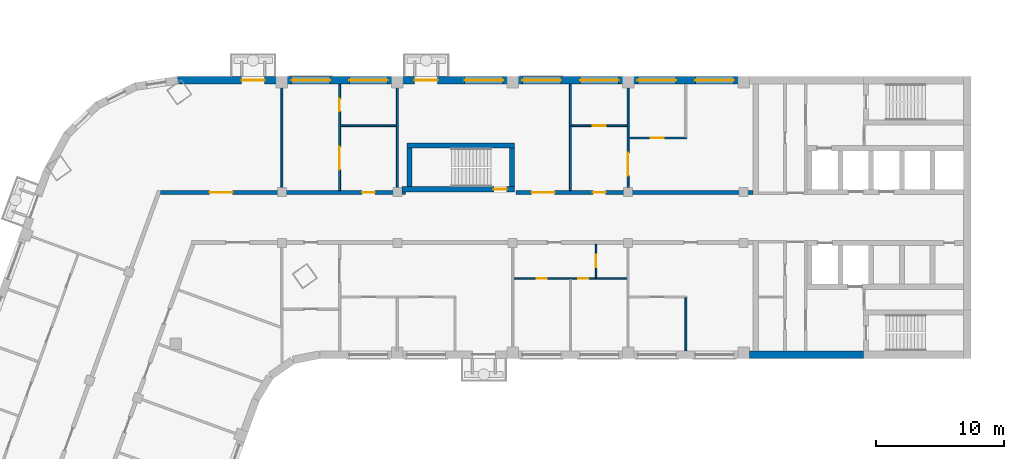
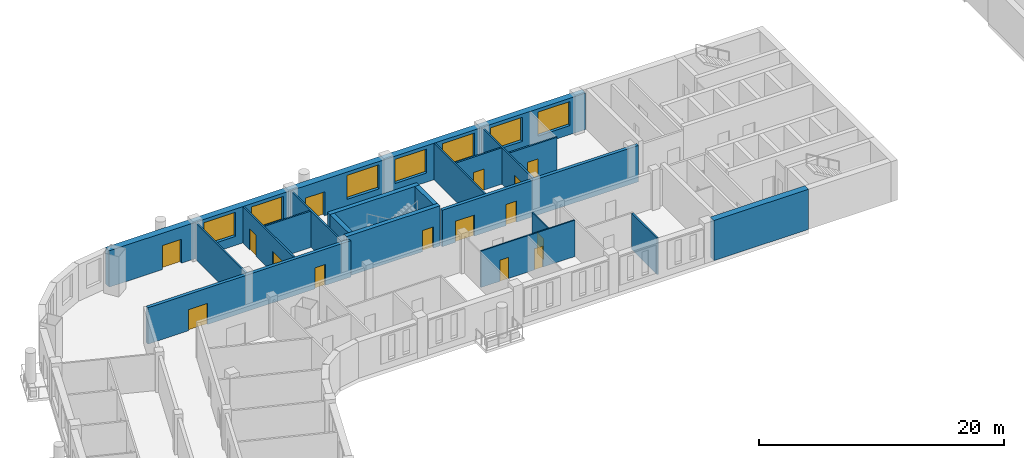
# One storey, part 5 of 15: 19 walls, 15 doors, 7 windows, 22 openings.
"""IFC4 building model written with IfcOpenShell, lengths in metres."""

from ifc_helpers import new_model, si_unit, direction, frame, frame_2d, origin, place, context, subcontext, project, spatial, rectangle, extrude, material, layer, layer_set, type_object, element, fill, save


model = new_model("IFC4")

# Units and contexts
model_context = context("Model", 3, precision=1e-05, world=origin(), true_north=direction((0.0, 1.0)))
body_context = subcontext(model_context, "Body", "Model", "MODEL_VIEW")
ifc_project = project(units=[si_unit("LENGTHUNIT", "METRE"), si_unit("AREAUNIT", "SQUARE_METRE"), si_unit("VOLUMEUNIT", "CUBIC_METRE"), si_unit("PLANEANGLEUNIT", "RADIAN"), si_unit("MASSUNIT", "GRAM", prefix="KILO")], contexts=[model_context])

# Site, building, storey
site_placement = place(None, origin())
site = spatial("IfcSite", under=ifc_project, at=site_placement, CompositionType="ELEMENT")
building_placement = place(site_placement, origin())
building = spatial("IfcBuilding", under=site, at=building_placement, Name="Skarvind Civic Tower", CompositionType="ELEMENT")
storey_placement = place(building_placement, frame((0.0, 0.0, 55.5)))
storey = spatial("IfcBuildingStorey", under=building, at=storey_placement, Name="L12", CompositionType="ELEMENT", Elevation=55.5)

# Wall, openings, doors
ifc_material_1 = material(Name="Fire-rated gypsum board on steel studs", Category="steel")
ifc_layer_1 = layer(ifc_material_1, 0.300048828125)
ifc_layer_set_1 = layer_set([ifc_layer_1], Name="CORRIDOR WALL 300")
wall_type_1 = type_object("IfcWallType", Name="CORRIDOR WALL 300", PredefinedType="PARTITIONING", material=ifc_layer_set_1)
wall_1_placement = place(storey_placement, frame((44.784912109375, 129.949951171875, 0.0), z_axis=(0.0, 0.0, 1.0), x_axis=(1.0, 0.0, 0.0)))
wall_1 = element("IfcWall", 1, at=wall_1_placement, inside=storey, type_object=wall_type_1, Name="Partition 12.016", PredefinedType="PARTITIONING", context=body_context, shape_type="SweptSolid", body=[
    extrude(rectangle(XDim=19.114990234375, YDim=0.300048828125, at=frame_2d((9.5576171875, 0.0))), origin(), (0.0, 0.0, 1.0), 3.625),
])
opening_1_placement = place(wall_1_placement, frame((15.715087890625, 0.0, 0.0)))
opening_1 = element("IfcOpeningElement", 2, at=opening_1_placement, cuts=wall_1, Name="Opening L12-D006", PredefinedType="OPENING", context=body_context, shape_type="SweptSolid", body=[
    extrude(rectangle(XDim=1.0, YDim=2.10009765625, at=frame_2d((0.5, 1.050048828125))), frame((0.0, 0.159912109375, 0.0), z_axis=(0.0, -1.0, 0.0), x_axis=(1.0, 0.0, 0.0)), (0.0, 0.0, 1.0), 0.320068359375),
])
opening_2_placement = place(wall_1_placement, frame((3.822509765625, 0.0, 0.0)))
opening_2 = element("IfcOpeningElement", 3, at=opening_2_placement, cuts=wall_1, Name="Opening L12-D032", PredefinedType="OPENING", context=body_context, shape_type="SweptSolid", body=[
    extrude(rectangle(XDim=1.800048828125, YDim=2.10009765625, at=frame_2d((0.89990234375, 1.050048828125))), frame((0.0, 0.159912109375, 0.0), z_axis=(0.0, -1.0, 0.0), x_axis=(1.0, 0.0, 0.0)), (0.0, 0.0, 1.0), 0.320068359375),
])
ifc_material_2 = material(Name="Fire-rated timber door leaf", Category="wood")
door_type_1 = type_object("IfcDoorType", Name="FD1 1000x2100", OperationType="NOTDEFINED", PredefinedType="DOOR", material=ifc_material_2)
door_1_placement = place(opening_1_placement, origin())
door_1 = element("IfcDoor", 4, at=door_1_placement, inside=storey, type_object=door_type_1, Name="Door L12-D006", OperationType="SINGLE_SWING_LEFT", OverallHeight=2.10009765625, OverallWidth=1.0, PredefinedType="DOOR", context=body_context, shape_type="SweptSolid", body=[
    extrude(rectangle(XDim=1.0, YDim=2.10009765625, at=frame_2d((0.5, 1.050048828125))), frame((0.0, 0.02490234375, 0.0), z_axis=(0.0, -1.0, 0.0), x_axis=(1.0, 0.0, 0.0)), (0.0, 0.0, 1.0), 0.050048828125),
])
fill(opening_1, door_1)
door_type_2 = type_object("IfcDoorType", Name="FD4 1800x2100", OperationType="NOTDEFINED", PredefinedType="DOOR", material=ifc_material_2)
door_2_placement = place(opening_2_placement, origin())
door_2 = element("IfcDoor", 5, at=door_2_placement, inside=storey, type_object=door_type_2, Name="Door L12-D032", OperationType="DOUBLE_DOOR_SINGLE_SWING", OverallHeight=2.10009765625, OverallWidth=1.800048828125, PredefinedType="DOOR", context=body_context, shape_type="SweptSolid", body=[
    extrude(rectangle(XDim=1.800048828125, YDim=2.10009765625, at=frame_2d((0.89990234375, 1.050048828125))), frame((0.0, 0.02490234375, 0.0), z_axis=(0.0, -1.0, 0.0), x_axis=(1.0, 0.0, 0.0)), (0.0, 0.0, 1.0), 0.050048828125),
])
fill(opening_2, door_2)

wall_2_placement = place(storey_placement, frame((72.5, 129.949951171875, 0.0), z_axis=(0.0, 0.0, 1.0), x_axis=(1.0, 0.0, 0.0)))
wall_2 = element("IfcWall", 6, at=wall_2_placement, inside=storey, type_object=wall_type_1, Name="Partition 12.032", PredefinedType="PARTITIONING", context=body_context, shape_type="SweptSolid", body=[
    extrude(rectangle(XDim=18.5, YDim=0.300048828125, at=frame_2d((9.25, 0.0))), origin(), (0.0, 0.0, 1.0), 3.625),
])
opening_3_placement = place(wall_2_placement, frame((6.0, 0.0, 0.0)))
opening_3 = element("IfcOpeningElement", 7, at=opening_3_placement, cuts=wall_2, Name="Opening L12-D001", PredefinedType="OPENING", context=body_context, shape_type="SweptSolid", body=[
    extrude(rectangle(XDim=1.0, YDim=2.10009765625, at=frame_2d((0.5, 1.050048828125))), frame((0.0, 0.159912109375, 0.0), z_axis=(0.0, -1.0, 0.0), x_axis=(1.0, 0.0, 0.0)), (0.0, 0.0, 1.0), 0.320068359375),
])
opening_4_placement = place(wall_2_placement, frame((1.22509765625, 0.0, 0.0)))
opening_4 = element("IfcOpeningElement", 8, at=opening_4_placement, cuts=wall_2, Name="Opening L12-D005", PredefinedType="OPENING", context=body_context, shape_type="SweptSolid", body=[
    extrude(rectangle(XDim=1.800048828125, YDim=2.10009765625, at=frame_2d((0.89990234375, 1.050048828125))), frame((0.0, 0.159912109375, 0.0), z_axis=(0.0, -1.0, 0.0), x_axis=(1.0, 0.0, 0.0)), (0.0, 0.0, 1.0), 0.320068359375),
])
door_3_placement = place(opening_3_placement, origin())
door_3 = element("IfcDoor", 9, at=door_3_placement, inside=storey, type_object=door_type_1, Name="Door L12-D001", OperationType="SINGLE_SWING_RIGHT", OverallHeight=2.10009765625, OverallWidth=1.0, PredefinedType="DOOR", context=body_context, shape_type="SweptSolid", body=[
    extrude(rectangle(XDim=1.0, YDim=2.10009765625, at=frame_2d((0.5, 1.050048828125))), frame((0.0, 0.02490234375, 0.0), z_axis=(0.0, -1.0, 0.0), x_axis=(1.0, 0.0, 0.0)), (0.0, 0.0, 1.0), 0.050048828125),
])
fill(opening_3, door_3)
door_4_placement = place(opening_4_placement, origin())
door_4 = element("IfcDoor", 10, at=door_4_placement, inside=storey, type_object=door_type_2, Name="Door L12-D005", OperationType="DOUBLE_DOOR_SINGLE_SWING", OverallHeight=2.10009765625, OverallWidth=1.800048828125, PredefinedType="DOOR", context=body_context, shape_type="SweptSolid", body=[
    extrude(rectangle(XDim=1.800048828125, YDim=2.10009765625, at=frame_2d((0.89990234375, 1.050048828125))), frame((0.0, 0.02490234375, 0.0), z_axis=(0.0, -1.0, 0.0), x_axis=(1.0, 0.0, 0.0)), (0.0, 0.0, 1.0), 0.050048828125),
])
fill(opening_4, door_4)

# Wall, opening, door
ifc_material_3 = material(Name="Concrete C80", Category="concrete")
ifc_layer_2 = layer(ifc_material_3, 0.39990234375)
ifc_layer_set_2 = layer_set([ifc_layer_2], Name="Core wall 400 C80")
wall_type_2 = type_object("IfcWallType", Name="Core wall 400 C80", PredefinedType="SHEAR", material=ifc_layer_set_2)
wall_3_placement = place(storey_placement, frame((63.60009765625, 130.199951171875, 0.0), z_axis=(0.0, 0.0, 1.0), x_axis=(1.0, 0.0, 0.0)))
wall_3 = element("IfcWall", 11, at=wall_3_placement, inside=storey, type_object=wall_type_2, Name="Core wall CM inner L12", PredefinedType="SHEAR", context=body_context, shape_type="SweptSolid", body=[
    extrude(rectangle(XDim=8.7998046875, YDim=0.39990234375, at=frame_2d((4.39990234375, 0.0))), origin(), (0.0, 0.0, 1.0), 4.0),
])
opening_5_placement = place(wall_3_placement, frame((7.175048828125, 0.0, 0.0)))
opening_5 = element("IfcOpeningElement", 12, at=opening_5_placement, cuts=wall_3, Name="Opening D-L12-CM-01", PredefinedType="OPENING", context=body_context, shape_type="SweptSolid", body=[
    extrude(rectangle(XDim=1.0, YDim=2.10009765625, at=frame_2d((0.5, 1.050048828125))), frame((0.0, 0.2099609375, 0.0), z_axis=(0.0, -1.0, 0.0), x_axis=(1.0, 0.0, 0.0)), (0.0, 0.0, 1.0), 0.419921875),
])
ifc_material_4 = material(Name="Fire-rated steel door", Category="steel")
door_type_3 = type_object("IfcDoorType", Name="Fire door 1000", OperationType="NOTDEFINED", PredefinedType="DOOR", material=ifc_material_4)
door_5_placement = place(opening_5_placement, origin())
door_5 = element("IfcDoor", 13, at=door_5_placement, inside=storey, type_object=door_type_3, Name="Fire door", OperationType="SINGLE_SWING_LEFT", OverallHeight=2.10009765625, OverallWidth=1.0, PredefinedType="DOOR", context=body_context, shape_type="SweptSolid", body=[
    extrude(rectangle(XDim=1.0, YDim=2.10009765625, at=frame_2d((0.5, 1.050048828125))), frame((0.0, 0.02490234375, 0.0), z_axis=(0.0, -1.0, 0.0), x_axis=(1.0, 0.0, 0.0)), (0.0, 0.0, 1.0), 0.050048828125),
])
fill(opening_5, door_5)

# Walls
wall_4_placement = place(storey_placement, frame((64.0, 133.60009765625, 0.0), z_axis=(0.0, 0.0, 1.0), x_axis=(1.0, 0.0, 0.0)))
element("IfcWall", 14, at=wall_4_placement, inside=storey, type_object=wall_type_2, Name="Core wall CM outer L12", PredefinedType="SHEAR", context=body_context, shape_type="SweptSolid", body=[
    extrude(rectangle(XDim=8.39990234375, YDim=0.39990234375, at=frame_2d((4.199951171875, 0.0))), origin(), (0.0, 0.0, 1.0), 4.0),
])
for number, where, z_axis, x_axis, name in (
    (15, (64.199951171875, 130.39990234375, 0.0), (0.0, 0.0, 1.0), (0.0, 1.0, 0.0), "Core wall CM west L12"),
    (16, (72.199951171875, 130.39990234375, 0.0), (0.0, 0.0, 1.0), (0.0, 1.0, 0.0), "Core wall CM end L12"),
):
    element("IfcWall", number, at=place(storey_placement, frame(where, z_axis=z_axis, x_axis=x_axis)), inside=storey, type_object=wall_type_2, Name=name, PredefinedType="SHEAR", context=body_context, shape_type="SweptSolid", body=[
        extrude(rectangle(XDim=3.0, YDim=0.39990234375, at=frame_2d((1.5, 0.0))), origin(), (0.0, 0.0, 1.0), 4.0),
    ])
ifc_layer_3 = layer(ifc_material_3, 0.60009765625)
ifc_layer_set_3 = layer_set([ifc_layer_3], Name="Core wall 600 C80")
wall_type_3 = type_object("IfcWallType", Name="Core wall 600 C80", PredefinedType="SHEAR", material=ifc_layer_set_3)
wall_5_placement = place(storey_placement, frame((99.60009765625, 117.300048828125, 0.0), z_axis=(0.0, 0.0, 1.0), x_axis=(-1.0, 0.0, 0.0)))
element("IfcWall", 17, at=wall_5_placement, inside=storey, type_object=wall_type_3, Name="Core wall C1 north side L12", PredefinedType="SHEAR", context=body_context, shape_type="SweptSolid", body=[
    extrude(rectangle(XDim=8.900146484375, YDim=0.60009765625, at=frame_2d((4.4501953125, 0.0))), origin(), (0.0, 0.0, 1.0), 4.0),
])
ifc_material_5 = material(Name="Plasterboard partition on steel studs", Category="steel")
ifc_layer_4 = layer(ifc_material_5, 0.14990234375)
ifc_layer_set_4 = layer_set([ifc_layer_4], Name="PARTITION 150")
wall_type_4 = type_object("IfcWallType", Name="PARTITION 150", PredefinedType="PARTITIONING", material=ifc_layer_set_4)
wall_6_placement = place(storey_placement, frame((54.25, 138.39990234375, 0.0), z_axis=(0.0, 0.0, 1.0), x_axis=(0.0, -1.0, 0.0)))
element("IfcWall", 18, at=wall_6_placement, inside=storey, type_object=wall_type_4, Name="Partition 12.022", PredefinedType="PARTITIONING", context=body_context, shape_type="SweptSolid", body=[
    extrude(rectangle(XDim=8.2998046875, YDim=0.14990234375, at=frame_2d((4.14990234375, 0.0))), origin(), (0.0, 0.0, 1.0), 3.625),
])

# Wall, openings, doors
wall_7_placement = place(storey_placement, frame((58.75, 130.10009765625, 0.0), z_axis=(0.0, 0.0, 1.0), x_axis=(0.0, 1.0, 0.0)))
wall_7 = element("IfcWall", 19, at=wall_7_placement, inside=storey, type_object=wall_type_4, Name="Partition 12.025", PredefinedType="PARTITIONING", context=body_context, shape_type="SweptSolid", body=[
    extrude(rectangle(XDim=8.2998046875, YDim=0.14990234375, at=frame_2d((4.14990234375, 0.0))), origin(), (0.0, 0.0, 1.0), 3.625),
])
opening_6_placement = place(wall_7_placement, frame((6.175048828125, 0.0, 0.0)))
opening_6 = element("IfcOpeningElement", 20, at=opening_6_placement, cuts=wall_7, Name="Opening L12-D007", PredefinedType="OPENING", context=body_context, shape_type="SweptSolid", body=[
    extrude(rectangle(XDim=1.0, YDim=2.10009765625, at=frame_2d((0.5, 1.050048828125))), frame((0.0, 0.0849609375, 0.0), z_axis=(0.0, -1.0, 0.0), x_axis=(1.0, 0.0, 0.0)), (0.0, 0.0, 1.0), 0.169921875),
])
opening_7_placement = place(wall_7_placement, frame((1.616455078125, 0.0, 0.0)))
opening_7 = element("IfcOpeningElement", 21, at=opening_7_placement, cuts=wall_7, Name="Opening L12-D008", PredefinedType="OPENING", context=body_context, shape_type="SweptSolid", body=[
    extrude(rectangle(XDim=1.800048828125, YDim=2.10009765625, at=frame_2d((0.89990234375, 1.050048828125))), frame((0.0, 0.0849609375, 0.0), z_axis=(0.0, -1.0, 0.0), x_axis=(1.0, 0.0, 0.0)), (0.0, 0.0, 1.0), 0.169921875),
])
ifc_material_6 = material(Name="Timber door leaf", Category="wood")
door_type_4 = type_object("IfcDoorType", Name="D1 1000x2100", OperationType="NOTDEFINED", PredefinedType="DOOR", material=ifc_material_6)
door_6_placement = place(opening_6_placement, origin())
door_6 = element("IfcDoor", 22, at=door_6_placement, inside=storey, type_object=door_type_4, Name="Door L12-D007", OperationType="SINGLE_SWING_RIGHT", OverallHeight=2.10009765625, OverallWidth=1.0, PredefinedType="DOOR", context=body_context, shape_type="SweptSolid", body=[
    extrude(rectangle(XDim=1.0, YDim=2.10009765625, at=frame_2d((0.5, 1.050048828125))), frame((0.0, 0.02490234375, 0.0), z_axis=(0.0, -1.0, 0.0), x_axis=(1.0, 0.0, 0.0)), (0.0, 0.0, 1.0), 0.050048828125),
])
fill(opening_6, door_6)
door_type_5 = type_object("IfcDoorType", Name="D4 1800x2100", OperationType="NOTDEFINED", PredefinedType="DOOR", material=ifc_material_6)
door_7_placement = place(opening_7_placement, origin())
door_7 = element("IfcDoor", 23, at=door_7_placement, inside=storey, type_object=door_type_5, Name="Door L12-D008", OperationType="DOUBLE_DOOR_SINGLE_SWING", OverallHeight=2.10009765625, OverallWidth=1.800048828125, PredefinedType="DOOR", context=body_context, shape_type="SweptSolid", body=[
    extrude(rectangle(XDim=1.800048828125, YDim=2.10009765625, at=frame_2d((0.89990234375, 1.050048828125))), frame((0.0, 0.02490234375, 0.0), z_axis=(0.0, -1.0, 0.0), x_axis=(1.0, 0.0, 0.0)), (0.0, 0.0, 1.0), 0.050048828125),
])
fill(opening_7, door_7)

# Walls
wall_8_placement = place(storey_placement, frame((63.25, 130.10009765625, 0.0), z_axis=(0.0, 0.0, 1.0), x_axis=(0.0, 1.0, 0.0)))
element("IfcWall", 24, at=wall_8_placement, inside=storey, type_object=wall_type_4, Name="Partition 12.027", PredefinedType="PARTITIONING", context=body_context, shape_type="SweptSolid", body=[
    extrude(rectangle(XDim=8.2998046875, YDim=0.14990234375, at=frame_2d((4.14990234375, 0.0))), origin(), (0.0, 0.0, 1.0), 3.625),
])
wall_9_placement = place(storey_placement, frame((63.175048828125, 135.14990234375, 0.0), z_axis=(0.0, 0.0, 1.0), x_axis=(-1.0, 0.0, 0.0)))
element("IfcWall", 25, at=wall_9_placement, inside=storey, type_object=wall_type_4, Name="Partition 12.028", PredefinedType="PARTITIONING", context=body_context, shape_type="SweptSolid", body=[
    extrude(rectangle(XDim=4.35009765625, YDim=0.14990234375, at=frame_2d((2.175048828125, 0.0))), origin(), (0.0, 0.0, 1.0), 3.625),
])
wall_10_placement = place(storey_placement, frame((76.75, 130.10009765625, 0.0), z_axis=(0.0, 0.0, 1.0), x_axis=(0.0, 1.0, 0.0)))
element("IfcWall", 26, at=wall_10_placement, inside=storey, type_object=wall_type_4, Name="Partition 12.034", PredefinedType="PARTITIONING", context=body_context, shape_type="SweptSolid", body=[
    extrude(rectangle(XDim=8.2998046875, YDim=0.14990234375, at=frame_2d((4.14990234375, 0.0))), origin(), (0.0, 0.0, 1.0), 3.625),
])

# Wall, opening, door
wall_11_placement = place(storey_placement, frame((81.25, 130.10009765625, 0.0), z_axis=(0.0, 0.0, 1.0), x_axis=(0.0, 1.0, 0.0)))
wall_11 = element("IfcWall", 27, at=wall_11_placement, inside=storey, type_object=wall_type_4, Name="Partition 12.037", PredefinedType="PARTITIONING", context=body_context, shape_type="SweptSolid", body=[
    extrude(rectangle(XDim=8.2998046875, YDim=0.14990234375, at=frame_2d((4.14990234375, 0.0))), origin(), (0.0, 0.0, 1.0), 3.625),
])
opening_8_placement = place(wall_11_placement, frame((1.139892578125, 0.0, 0.0)))
opening_8 = element("IfcOpeningElement", 28, at=opening_8_placement, cuts=wall_11, Name="Opening L12-D004", PredefinedType="OPENING", context=body_context, shape_type="SweptSolid", body=[
    extrude(rectangle(XDim=1.800048828125, YDim=2.10009765625, at=frame_2d((0.89990234375, 1.050048828125))), frame((0.0, 0.0849609375, 0.0), z_axis=(0.0, -1.0, 0.0), x_axis=(1.0, 0.0, 0.0)), (0.0, 0.0, 1.0), 0.169921875),
])
door_8_placement = place(opening_8_placement, origin())
door_8 = element("IfcDoor", 29, at=door_8_placement, inside=storey, type_object=door_type_5, Name="Door L12-D004", OperationType="DOUBLE_DOOR_SINGLE_SWING", OverallHeight=2.10009765625, OverallWidth=1.800048828125, PredefinedType="DOOR", context=body_context, shape_type="SweptSolid", body=[
    extrude(rectangle(XDim=1.800048828125, YDim=2.10009765625, at=frame_2d((0.89990234375, 1.050048828125))), frame((0.0, 0.02490234375, 0.0), z_axis=(0.0, -1.0, 0.0), x_axis=(1.0, 0.0, 0.0)), (0.0, 0.0, 1.0), 0.050048828125),
])
fill(opening_8, door_8)

wall_12_placement = place(storey_placement, frame((85.824951171875, 134.199951171875, 0.0), z_axis=(0.0, 0.0, 1.0), x_axis=(-1.0, 0.0, 0.0)))
wall_12 = element("IfcWall", 30, at=wall_12_placement, inside=storey, type_object=wall_type_4, Name="Partition 12.038", PredefinedType="PARTITIONING", context=body_context, shape_type="SweptSolid", body=[
    extrude(rectangle(XDim=4.5, YDim=0.14990234375, at=frame_2d((2.25, 0.0))), origin(), (0.0, 0.0, 1.0), 3.625),
])
opening_9_placement = place(wall_12_placement, frame((1.797607421875, 0.0, 0.0)))
opening_9 = element("IfcOpeningElement", 31, at=opening_9_placement, cuts=wall_12, Name="Opening L12-D002", PredefinedType="OPENING", context=body_context, shape_type="SweptSolid", body=[
    extrude(rectangle(XDim=1.0, YDim=2.10009765625, at=frame_2d((0.5, 1.050048828125))), frame((0.0, 0.0849609375, 0.0), z_axis=(0.0, -1.0, 0.0), x_axis=(1.0, 0.0, 0.0)), (0.0, 0.0, 1.0), 0.169921875),
])
door_9_placement = place(opening_9_placement, origin())
door_9 = element("IfcDoor", 32, at=door_9_placement, inside=storey, type_object=door_type_4, Name="Door L12-D002", OperationType="SINGLE_SWING_LEFT", OverallHeight=2.10009765625, OverallWidth=1.0, PredefinedType="DOOR", context=body_context, shape_type="SweptSolid", body=[
    extrude(rectangle(XDim=1.0, YDim=2.10009765625, at=frame_2d((0.5, 1.050048828125))), frame((0.0, 0.02490234375, 0.0), z_axis=(0.0, -1.0, 0.0), x_axis=(1.0, 0.0, 0.0)), (0.0, 0.0, 1.0), 0.050048828125),
])
fill(opening_9, door_9)

wall_13_placement = place(storey_placement, frame((81.175048828125, 135.14990234375, 0.0), z_axis=(0.0, 0.0, 1.0), x_axis=(-1.0, 0.0, 0.0)))
wall_13 = element("IfcWall", 33, at=wall_13_placement, inside=storey, type_object=wall_type_4, Name="Partition 12.039", PredefinedType="PARTITIONING", context=body_context, shape_type="SweptSolid", body=[
    extrude(rectangle(XDim=4.35009765625, YDim=0.14990234375, at=frame_2d((2.175048828125, 0.0))), origin(), (0.0, 0.0, 1.0), 3.625),
])
opening_10_placement = place(wall_13_placement, frame((1.675048828125, 0.0, 0.0)))
opening_10 = element("IfcOpeningElement", 34, at=opening_10_placement, cuts=wall_13, Name="Opening L12-D003", PredefinedType="OPENING", context=body_context, shape_type="SweptSolid", body=[
    extrude(rectangle(XDim=1.0, YDim=2.10009765625, at=frame_2d((0.5, 1.050048828125))), frame((0.0, 0.0849609375, 0.0), z_axis=(0.0, -1.0, 0.0), x_axis=(1.0, 0.0, 0.0)), (0.0, 0.0, 1.0), 0.169921875),
])
door_10_placement = place(opening_10_placement, origin())
door_10 = element("IfcDoor", 35, at=door_10_placement, inside=storey, type_object=door_type_4, Name="Door L12-D003", OperationType="SINGLE_SWING_LEFT", OverallHeight=2.10009765625, OverallWidth=1.0, PredefinedType="DOOR", context=body_context, shape_type="SweptSolid", body=[
    extrude(rectangle(XDim=1.0, YDim=2.10009765625, at=frame_2d((0.5, 1.050048828125))), frame((0.0, 0.02490234375, 0.0), z_axis=(0.0, -1.0, 0.0), x_axis=(1.0, 0.0, 0.0)), (0.0, 0.0, 1.0), 0.050048828125),
])
fill(opening_10, door_10)

# Wall
wall_14_placement = place(storey_placement, frame((85.75, 117.60009765625, 0.0), z_axis=(0.0, 0.0, 1.0), x_axis=(0.0, 1.0, 0.0)))
element("IfcWall", 36, at=wall_14_placement, inside=storey, type_object=wall_type_4, Name="Partition 12.040", PredefinedType="PARTITIONING", context=body_context, shape_type="SweptSolid", body=[
    extrude(rectangle(XDim=4.125, YDim=0.14990234375, at=frame_2d((2.0625, 0.0))), origin(), (0.0, 0.0, 1.0), 3.625),
])

# Wall, openings, doors
ifc_material_7 = material(Name="Moisture-resistant gypsum board on steel studs", Category="steel")
ifc_layer_5 = layer(ifc_material_7, 0.125)
ifc_layer_set_5 = layer_set([ifc_layer_5], Name="WC PARTITION 125")
wall_type_5 = type_object("IfcWallType", Name="WC PARTITION 125", PredefinedType="PARTITIONING", material=ifc_layer_set_5)
wall_15_placement = place(storey_placement, frame((81.18798828125, 123.25, 0.0), z_axis=(0.0, 0.0, 1.0), x_axis=(-1.0, 0.0, 0.0)))
wall_15 = element("IfcWall", 37, at=wall_15_placement, inside=storey, type_object=wall_type_5, Name="Partition 12.031", PredefinedType="PARTITIONING", context=body_context, shape_type="SweptSolid", body=[
    extrude(rectangle(XDim=8.8759765625, YDim=0.125, at=frame_2d((4.43798828125, 0.0))), origin(), (0.0, 0.0, 1.0), 3.625),
])
opening_11_placement = place(wall_15_placement, frame((6.26708984375, 0.0, 0.0)))
opening_11 = element("IfcOpeningElement", 38, at=opening_11_placement, cuts=wall_15, Name="Opening L12-D013", PredefinedType="OPENING", context=body_context, shape_type="SweptSolid", body=[
    extrude(rectangle(XDim=0.800048828125, YDim=2.10009765625, at=frame_2d((0.39990234375, 1.050048828125))), frame((0.0, 0.072509765625, 0.0), z_axis=(0.0, -1.0, 0.0), x_axis=(1.0, 0.0, 0.0)), (0.0, 0.0, 1.0), 0.14501953125),
])
opening_12_placement = place(wall_15_placement, frame((3.03662109375, 0.0, 0.0)))
opening_12 = element("IfcOpeningElement", 39, at=opening_12_placement, cuts=wall_15, Name="Opening L12-D014", PredefinedType="OPENING", context=body_context, shape_type="SweptSolid", body=[
    extrude(rectangle(XDim=0.800048828125, YDim=2.10009765625, at=frame_2d((0.39990234375, 1.050048828125))), frame((0.0, 0.072509765625, 0.0), z_axis=(0.0, -1.0, 0.0), x_axis=(1.0, 0.0, 0.0)), (0.0, 0.0, 1.0), 0.14501953125),
])
door_type_6 = type_object("IfcDoorType", Name="DOOR 800X2100 TIMBER", OperationType="NOTDEFINED", PredefinedType="DOOR", material=ifc_material_6)
door_11_placement = place(opening_11_placement, origin())
door_11 = element("IfcDoor", 40, at=door_11_placement, inside=storey, type_object=door_type_6, Name="Door L12-D013", OperationType="SINGLE_SWING_RIGHT", OverallHeight=2.10009765625, OverallWidth=0.800048828125, PredefinedType="DOOR", context=body_context, shape_type="SweptSolid", body=[
    extrude(rectangle(XDim=0.800048828125, YDim=2.10009765625, at=frame_2d((0.39990234375, 1.050048828125))), frame((0.0, 0.02490234375, 0.0), z_axis=(0.0, -1.0, 0.0), x_axis=(1.0, 0.0, 0.0)), (0.0, 0.0, 1.0), 0.050048828125),
])
fill(opening_11, door_11)
door_12_placement = place(opening_12_placement, origin())
door_12 = element("IfcDoor", 41, at=door_12_placement, inside=storey, type_object=door_type_6, Name="Door L12-D014", OperationType="SINGLE_SWING_LEFT", OverallHeight=2.10009765625, OverallWidth=0.800048828125, PredefinedType="DOOR", context=body_context, shape_type="SweptSolid", body=[
    extrude(rectangle(XDim=0.800048828125, YDim=2.10009765625, at=frame_2d((0.39990234375, 1.050048828125))), frame((0.0, 0.02490234375, 0.0), z_axis=(0.0, -1.0, 0.0), x_axis=(1.0, 0.0, 0.0)), (0.0, 0.0, 1.0), 0.050048828125),
])
fill(opening_12, door_12)

# Wall, opening, door
wall_16_placement = place(storey_placement, frame((78.75, 125.89990234375, 0.0), z_axis=(0.0, 0.0, 1.0), x_axis=(0.0, -1.0, 0.0)))
wall_16 = element("IfcWall", 42, at=wall_16_placement, inside=storey, type_object=wall_type_5, Name="Partition 12.035", PredefinedType="PARTITIONING", context=body_context, shape_type="SweptSolid", body=[
    extrude(rectangle(XDim=2.587890625, YDim=0.125, at=frame_2d((1.2939453125, 0.0))), origin(), (0.0, 0.0, 1.0), 3.625),
])
opening_13_placement = place(wall_16_placement, frame((0.7939453125, 0.0, 0.0)))
opening_13 = element("IfcOpeningElement", 43, at=opening_13_placement, cuts=wall_16, Name="Opening L12-D012", PredefinedType="OPENING", context=body_context, shape_type="SweptSolid", body=[
    extrude(rectangle(XDim=1.0, YDim=2.10009765625, at=frame_2d((0.5, 1.050048828125))), frame((0.0, 0.072509765625, 0.0), z_axis=(0.0, -1.0, 0.0), x_axis=(1.0, 0.0, 0.0)), (0.0, 0.0, 1.0), 0.14501953125),
])
door_13_placement = place(opening_13_placement, origin())
door_13 = element("IfcDoor", 44, at=door_13_placement, inside=storey, type_object=door_type_4, Name="Door L12-D012", OperationType="SINGLE_SWING_RIGHT", OverallHeight=2.10009765625, OverallWidth=1.0, PredefinedType="DOOR", context=body_context, shape_type="SweptSolid", body=[
    extrude(rectangle(XDim=1.0, YDim=2.10009765625, at=frame_2d((0.5, 1.050048828125))), frame((0.0, 0.02490234375, 0.0), z_axis=(0.0, -1.0, 0.0), x_axis=(1.0, 0.0, 0.0)), (0.0, 0.0, 1.0), 0.050048828125),
])
fill(opening_13, door_13)

# Wall, openings, doors, windows
ifc_material_8 = material(Name="Limestone masonry cladding on insulated backing", Category="masonry")
ifc_layer_6 = layer(ifc_material_8, 0.60009765625)
ifc_layer_set_6 = layer_set([ifc_layer_6], Name="WX1 STONE FACADE WALL 600")
wall_type_6 = type_object("IfcWallType", Name="WX1 STONE FACADE WALL 600", PredefinedType="SOLIDWALL", material=ifc_layer_set_6)
wall_17_placement = place(storey_placement, frame((46.095458984375, 138.699951171875, 0.0), z_axis=(0.0, 0.0, 1.0), x_axis=(1.0, 0.0, 0.0)))
wall_17 = element("IfcWall", 45, at=wall_17_placement, inside=storey, type_object=wall_type_6, Name="STONE FACADE WALL", PredefinedType="SOLIDWALL", context=body_context, shape_type="SweptSolid", body=[
    extrude(rectangle(XDim=44.884521484375, YDim=0.60009765625, at=frame_2d((22.4423828125, 0.0))), origin(), (0.0, 0.0, 1.0), 3.625),
])
opening_14_placement = place(wall_17_placement, frame((5.00439453125, 0.0, 0.0)))
opening_14 = element("IfcOpeningElement", 46, at=opening_14_placement, cuts=wall_17, Name="Opening DX3", PredefinedType="OPENING", context=body_context, shape_type="SweptSolid", body=[
    extrude(rectangle(XDim=1.800048828125, YDim=2.39990234375, at=frame_2d((0.89990234375, 1.199951171875))), frame((0.0, 0.31005859375, 0.0), z_axis=(0.0, -1.0, 0.0), x_axis=(1.0, 0.0, 0.0)), (0.0, 0.0, 1.0), 0.6201171875),
])
opening_15_placement = place(wall_17_placement, frame((8.904541015625, 0.0, 0.89990234375)))
opening_15 = element("IfcOpeningElement", 47, at=opening_15_placement, cuts=wall_17, Name="Opening WN1", PredefinedType="OPENING", context=body_context, shape_type="SweptSolid", body=[
    extrude(rectangle(XDim=3.0, YDim=2.39990234375, at=frame_2d((1.5, 1.199951171875))), frame((0.0, 0.31005859375, 0.0), z_axis=(0.0, -1.0, 0.0), x_axis=(1.0, 0.0, 0.0)), (0.0, 0.0, 1.0), 0.6201171875),
])
opening_16_placement = place(wall_17_placement, frame((13.404541015625, 0.0, 0.89990234375)))
opening_16 = element("IfcOpeningElement", 48, at=opening_16_placement, cuts=wall_17, Name="Opening WN1", PredefinedType="OPENING", context=body_context, shape_type="SweptSolid", body=[
    extrude(rectangle(XDim=3.0, YDim=2.39990234375, at=frame_2d((1.5, 1.199951171875))), frame((0.0, 0.31005859375, 0.0), z_axis=(0.0, -1.0, 0.0), x_axis=(1.0, 0.0, 0.0)), (0.0, 0.0, 1.0), 0.6201171875),
])
opening_17_placement = place(wall_17_placement, frame((18.50439453125, 0.0, 0.0)))
opening_17 = element("IfcOpeningElement", 49, at=opening_17_placement, cuts=wall_17, Name="Opening DX3", PredefinedType="OPENING", context=body_context, shape_type="SweptSolid", body=[
    extrude(rectangle(XDim=1.800048828125, YDim=2.39990234375, at=frame_2d((0.89990234375, 1.199951171875))), frame((0.0, 0.31005859375, 0.0), z_axis=(0.0, -1.0, 0.0), x_axis=(1.0, 0.0, 0.0)), (0.0, 0.0, 1.0), 0.6201171875),
])
opening_18_placement = place(wall_17_placement, frame((22.404541015625, 0.0, 0.89990234375)))
opening_18 = element("IfcOpeningElement", 50, at=opening_18_placement, cuts=wall_17, Name="Opening WN1", PredefinedType="OPENING", context=body_context, shape_type="SweptSolid", body=[
    extrude(rectangle(XDim=3.0, YDim=2.39990234375, at=frame_2d((1.5, 1.199951171875))), frame((0.0, 0.31005859375, 0.0), z_axis=(0.0, -1.0, 0.0), x_axis=(1.0, 0.0, 0.0)), (0.0, 0.0, 1.0), 0.6201171875),
])
opening_19_placement = place(wall_17_placement, frame((26.904541015625, 0.0, 0.89990234375)))
opening_19 = element("IfcOpeningElement", 51, at=opening_19_placement, cuts=wall_17, Name="Opening WN1", PredefinedType="OPENING", context=body_context, shape_type="SweptSolid", body=[
    extrude(rectangle(XDim=3.0, YDim=2.39990234375, at=frame_2d((1.5, 1.199951171875))), frame((0.0, 0.31005859375, 0.0), z_axis=(0.0, -1.0, 0.0), x_axis=(1.0, 0.0, 0.0)), (0.0, 0.0, 1.0), 0.6201171875),
])
opening_20_placement = place(wall_17_placement, frame((31.404541015625, 0.0, 0.89990234375)))
opening_20 = element("IfcOpeningElement", 52, at=opening_20_placement, cuts=wall_17, Name="Opening WN1", PredefinedType="OPENING", context=body_context, shape_type="SweptSolid", body=[
    extrude(rectangle(XDim=3.0, YDim=2.39990234375, at=frame_2d((1.5, 1.199951171875))), frame((0.0, 0.31005859375, 0.0), z_axis=(0.0, -1.0, 0.0), x_axis=(1.0, 0.0, 0.0)), (0.0, 0.0, 1.0), 0.6201171875),
])
opening_21_placement = place(wall_17_placement, frame((35.904541015625, 0.0, 0.89990234375)))
opening_21 = element("IfcOpeningElement", 53, at=opening_21_placement, cuts=wall_17, Name="Opening WN1", PredefinedType="OPENING", context=body_context, shape_type="SweptSolid", body=[
    extrude(rectangle(XDim=3.0, YDim=2.39990234375, at=frame_2d((1.5, 1.199951171875))), frame((0.0, 0.31005859375, 0.0), z_axis=(0.0, -1.0, 0.0), x_axis=(1.0, 0.0, 0.0)), (0.0, 0.0, 1.0), 0.6201171875),
])
opening_22_placement = place(wall_17_placement, frame((40.404541015625, 0.0, 0.89990234375)))
opening_22 = element("IfcOpeningElement", 54, at=opening_22_placement, cuts=wall_17, Name="Opening WN1", PredefinedType="OPENING", context=body_context, shape_type="SweptSolid", body=[
    extrude(rectangle(XDim=3.0, YDim=2.39990234375, at=frame_2d((1.5, 1.199951171875))), frame((0.0, 0.31005859375, 0.0), z_axis=(0.0, -1.0, 0.0), x_axis=(1.0, 0.0, 0.0)), (0.0, 0.0, 1.0), 0.6201171875),
])
ifc_material_9 = material(Name="Timber and glass doorset", Category="wood")
door_type_7 = type_object("IfcDoorType", Name="DX3 TERRACE DOORS 1800 x 2400", OperationType="NOTDEFINED", PredefinedType="DOOR", material=ifc_material_9)
door_14_placement = place(opening_14_placement, origin())
door_14 = element("IfcDoor", 55, at=door_14_placement, inside=storey, type_object=door_type_7, Name="TERRACE DOORS", OperationType="DOUBLE_DOOR_SINGLE_SWING", OverallHeight=2.39990234375, OverallWidth=1.800048828125, PredefinedType="DOOR", context=body_context, shape_type="SweptSolid", body=[
    extrude(rectangle(XDim=1.800048828125, YDim=2.39990234375, at=frame_2d((0.89990234375, 1.199951171875))), frame((0.0, 0.02490234375, 0.0), z_axis=(0.0, -1.0, 0.0), x_axis=(1.0, 0.0, 0.0)), (0.0, 0.0, 1.0), 0.050048828125),
])
fill(opening_14, door_14)
door_15_placement = place(opening_17_placement, origin())
door_15 = element("IfcDoor", 56, at=door_15_placement, inside=storey, type_object=door_type_7, Name="TERRACE DOORS", OperationType="DOUBLE_DOOR_SINGLE_SWING", OverallHeight=2.39990234375, OverallWidth=1.800048828125, PredefinedType="DOOR", context=body_context, shape_type="SweptSolid", body=[
    extrude(rectangle(XDim=1.800048828125, YDim=2.39990234375, at=frame_2d((0.89990234375, 1.199951171875))), frame((0.0, 0.02490234375, 0.0), z_axis=(0.0, -1.0, 0.0), x_axis=(1.0, 0.0, 0.0)), (0.0, 0.0, 1.0), 0.050048828125),
])
fill(opening_17, door_15)
ifc_material_10 = material(Name="Timber frame, double glazing, timber-lined reveal", Category="wood")
window_type = type_object("IfcWindowType", Name="WN1 PUNCHED STONE WINDOW 3000 x 2400", PartitioningType="SINGLE_PANEL", PredefinedType="WINDOW", material=ifc_material_10)
window_1_placement = place(opening_15_placement, origin())
window_1 = element("IfcWindow", 57, at=window_1_placement, inside=storey, type_object=window_type, Name="WN1 WINDOW", OverallHeight=2.39990234375, OverallWidth=3.0, PartitioningType="SINGLE_PANEL", PredefinedType="WINDOW", context=body_context, shape_type="SweptSolid", body=[
    extrude(rectangle(XDim=3.0, YDim=2.39990234375, at=frame_2d((1.5, 1.199951171875))), frame((0.0, 0.030029296875, 0.0), z_axis=(0.0, -1.0, 0.0), x_axis=(1.0, 0.0, 0.0)), (0.0, 0.0, 1.0), 0.06005859375),
])
fill(opening_15, window_1)
window_2_placement = place(opening_16_placement, origin())
window_2 = element("IfcWindow", 58, at=window_2_placement, inside=storey, type_object=window_type, Name="WN1 WINDOW", OverallHeight=2.39990234375, OverallWidth=3.0, PartitioningType="SINGLE_PANEL", PredefinedType="WINDOW", context=body_context, shape_type="SweptSolid", body=[
    extrude(rectangle(XDim=3.0, YDim=2.39990234375, at=frame_2d((1.5, 1.199951171875))), frame((0.0, 0.030029296875, 0.0), z_axis=(0.0, -1.0, 0.0), x_axis=(1.0, 0.0, 0.0)), (0.0, 0.0, 1.0), 0.06005859375),
])
fill(opening_16, window_2)
window_3_placement = place(opening_18_placement, origin())
window_3 = element("IfcWindow", 59, at=window_3_placement, inside=storey, type_object=window_type, Name="WN1 WINDOW", OverallHeight=2.39990234375, OverallWidth=3.0, PartitioningType="SINGLE_PANEL", PredefinedType="WINDOW", context=body_context, shape_type="SweptSolid", body=[
    extrude(rectangle(XDim=3.0, YDim=2.39990234375, at=frame_2d((1.5, 1.199951171875))), frame((0.0, 0.030029296875, 0.0), z_axis=(0.0, -1.0, 0.0), x_axis=(1.0, 0.0, 0.0)), (0.0, 0.0, 1.0), 0.06005859375),
])
fill(opening_18, window_3)
window_4_placement = place(opening_19_placement, origin())
window_4 = element("IfcWindow", 60, at=window_4_placement, inside=storey, type_object=window_type, Name="WN1 WINDOW", OverallHeight=2.39990234375, OverallWidth=3.0, PartitioningType="SINGLE_PANEL", PredefinedType="WINDOW", context=body_context, shape_type="SweptSolid", body=[
    extrude(rectangle(XDim=3.0, YDim=2.39990234375, at=frame_2d((1.5, 1.199951171875))), frame((0.0, 0.030029296875, 0.0), z_axis=(0.0, -1.0, 0.0), x_axis=(1.0, 0.0, 0.0)), (0.0, 0.0, 1.0), 0.06005859375),
])
fill(opening_19, window_4)
window_5_placement = place(opening_20_placement, origin())
window_5 = element("IfcWindow", 61, at=window_5_placement, inside=storey, type_object=window_type, Name="WN1 WINDOW", OverallHeight=2.39990234375, OverallWidth=3.0, PartitioningType="SINGLE_PANEL", PredefinedType="WINDOW", context=body_context, shape_type="SweptSolid", body=[
    extrude(rectangle(XDim=3.0, YDim=2.39990234375, at=frame_2d((1.5, 1.199951171875))), frame((0.0, 0.030029296875, 0.0), z_axis=(0.0, -1.0, 0.0), x_axis=(1.0, 0.0, 0.0)), (0.0, 0.0, 1.0), 0.06005859375),
])
fill(opening_20, window_5)
window_6_placement = place(opening_21_placement, origin())
window_6 = element("IfcWindow", 62, at=window_6_placement, inside=storey, type_object=window_type, Name="WN1 WINDOW", OverallHeight=2.39990234375, OverallWidth=3.0, PartitioningType="SINGLE_PANEL", PredefinedType="WINDOW", context=body_context, shape_type="SweptSolid", body=[
    extrude(rectangle(XDim=3.0, YDim=2.39990234375, at=frame_2d((1.5, 1.199951171875))), frame((0.0, 0.030029296875, 0.0), z_axis=(0.0, -1.0, 0.0), x_axis=(1.0, 0.0, 0.0)), (0.0, 0.0, 1.0), 0.06005859375),
])
fill(opening_21, window_6)
window_7_placement = place(opening_22_placement, origin())
window_7 = element("IfcWindow", 63, at=window_7_placement, inside=storey, type_object=window_type, Name="WN1 WINDOW", OverallHeight=2.39990234375, OverallWidth=3.0, PartitioningType="SINGLE_PANEL", PredefinedType="WINDOW", context=body_context, shape_type="SweptSolid", body=[
    extrude(rectangle(XDim=3.0, YDim=2.39990234375, at=frame_2d((1.5, 1.199951171875))), frame((0.0, 0.030029296875, 0.0), z_axis=(0.0, -1.0, 0.0), x_axis=(1.0, 0.0, 0.0)), (0.0, 0.0, 1.0), 0.06005859375),
])
fill(opening_22, window_7)

save(model, "model.ifc")
